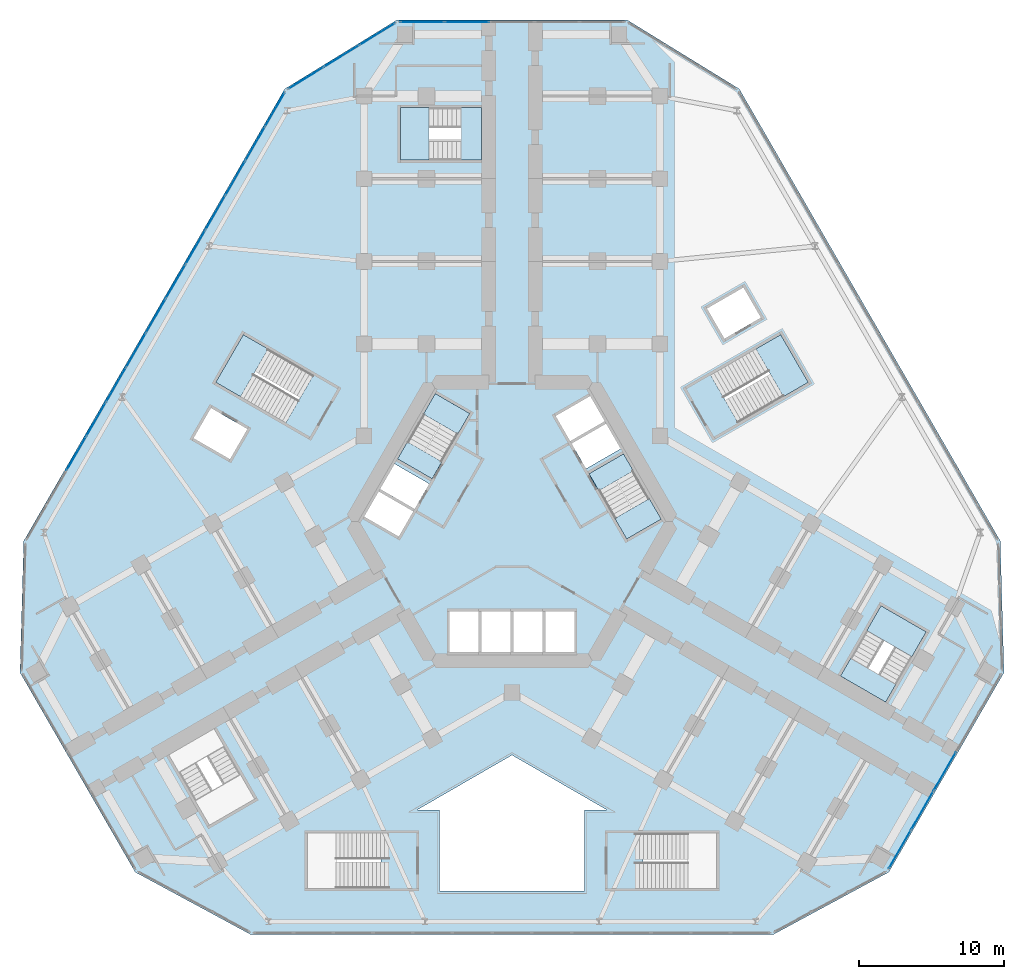
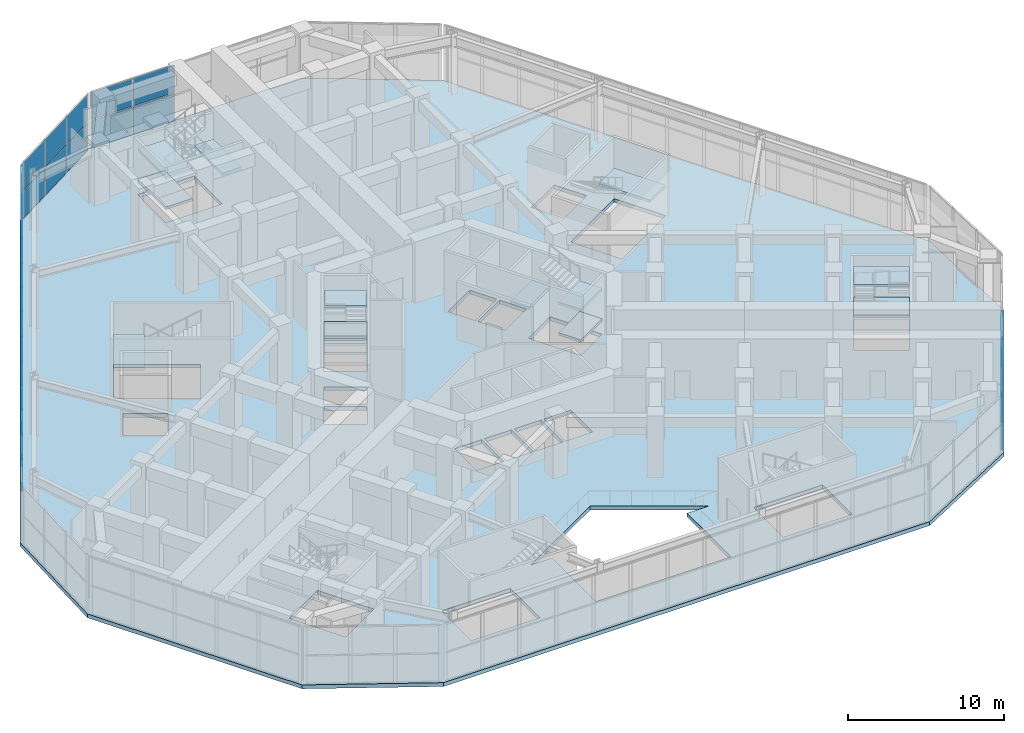
# One storey, part 13 of 21: 38 plates, 15 slabs, 10 elements without a shape of their own.
"""IFC4 building model written with IfcOpenShell, lengths in metres."""

from ifc_helpers import new_model, si_unit, direction, frame, origin, origin_2d, place, context, subcontext, project, spatial, polyline, rectangle, outline, extrude, material, layer, layer_set, type_object, element, aggregate, save


model = new_model("IFC4")

# Units and contexts
model_context = context("Model", 3, precision=1e-05, world=origin(), true_north=direction((0.0, 1.0)))
body_context = subcontext(model_context, "Body", "Model", "MODEL_VIEW")
ifc_project = project(units=[si_unit("LENGTHUNIT", "METRE"), si_unit("AREAUNIT", "SQUARE_METRE"), si_unit("VOLUMEUNIT", "CUBIC_METRE"), si_unit("PLANEANGLEUNIT", "RADIAN"), si_unit("MASSUNIT", "GRAM", prefix="KILO")], contexts=[model_context])

# Site, building, storey
site_placement = place(None, origin())
site = spatial("IfcSite", under=ifc_project, at=site_placement, CompositionType="ELEMENT")
building_placement = place(site_placement, origin())
building = spatial("IfcBuilding", under=site, at=building_placement, Name="Kosmar Iwan School Tower", CompositionType="ELEMENT")
storey_placement = place(building_placement, frame((0.0, 0.0, 6.0)))
storey = spatial("IfcBuildingStorey", under=building, at=storey_placement, Name="L01", CompositionType="ELEMENT", Elevation=6.0)

# Curtain wall, plates
ifc_material_1 = material(Name="Dark glass in black aluminium frame", Category="aluminium")
curtain_wall_type_1 = type_object("IfcCurtainWallType", Name="Tower curtain wall dark glass", PredefinedType="USERDEFINED", material=ifc_material_1)
curtain_wall_1_placement = place(storey_placement, origin())
curtain_wall_1 = element("IfcCurtainWall", 1, at=curtain_wall_1_placement, inside=storey, type_object=curtain_wall_type_1, Name="Curtain wall L01-F02", ObjectType="UNITISED CURTAIN WALL", PredefinedType="USERDEFINED")
ifc_material_2 = material(Name="Dark glass", Category="glass")
ifc_layer_1 = layer(ifc_material_2, 0.028076171875)
ifc_layer_set_1 = layer_set([ifc_layer_1], Name="Dark glass panel 28")
plate_type = type_object("IfcPlateType", Name="Dark glass panel 28", PredefinedType="CURTAIN_PANEL", material=ifc_layer_set_1)
plate_1_placement = place(storey_placement, frame((26.758544921875, -22.602783203125, 0.06005859375), z_axis=(0.0, 0.0, 1.0), x_axis=(0.500000014057, 0.866025395669, 0.0)))
plate_1 = element("IfcPlate", 2, at=plate_1_placement, type_object=plate_type, Name="CW1 panel 1.1", PredefinedType="CURTAIN_PANEL", context=body_context, shape_type="SweptSolid", body=[
    extrude(rectangle(XDim=3.00830078125, YDim=0.028076171875, at=origin_2d()), origin(), (0.0, 0.0, 1.0), 2.159912109375),
])
plate_2_placement = place(storey_placement, frame((26.758544921875, -22.602783203125, 2.2802734375), z_axis=(0.0, 0.0, 1.0), x_axis=(0.500000014057, 0.866025395669, 0.0)))
plate_2 = element("IfcPlate", 3, at=plate_2_placement, type_object=plate_type, Name="CW1 panel 1.2", PredefinedType="CURTAIN_PANEL", context=body_context, shape_type="SweptSolid", body=[
    extrude(rectangle(XDim=3.00830078125, YDim=0.028076171875, at=origin_2d()), origin(), (0.0, 0.0, 1.0), 2.159912109375),
])
plate_3_placement = place(storey_placement, frame((28.30322265625, -19.92724609375, 0.06005859375), z_axis=(0.0, 0.0, 1.0), x_axis=(0.500000014057, 0.866025395669, 0.0)))
plate_3 = element("IfcPlate", 4, at=plate_3_placement, type_object=plate_type, Name="CW1 panel 2.1", PredefinedType="CURTAIN_PANEL", context=body_context, shape_type="SweptSolid", body=[
    extrude(rectangle(XDim=3.040771484375, YDim=0.028076171875, at=origin_2d()), origin(), (0.0, 0.0, 1.0), 2.159912109375),
])
plate_4_placement = place(storey_placement, frame((28.30322265625, -19.92724609375, 2.2802734375), z_axis=(0.0, 0.0, 1.0), x_axis=(0.500000014057, 0.866025395669, 0.0)))
plate_4 = element("IfcPlate", 5, at=plate_4_placement, type_object=plate_type, Name="CW1 panel 2.2", PredefinedType="CURTAIN_PANEL", context=body_context, shape_type="SweptSolid", body=[
    extrude(rectangle(XDim=3.040771484375, YDim=0.028076171875, at=origin_2d()), origin(), (0.0, 0.0, 1.0), 2.159912109375),
])
plate_5_placement = place(storey_placement, frame((29.856201171875, -17.237548828125, 0.06005859375), z_axis=(0.0, 0.0, 1.0), x_axis=(0.500000014057, 0.866025395669, 0.0)))
plate_5 = element("IfcPlate", 6, at=plate_5_placement, type_object=plate_type, Name="CW1 panel 3.1", PredefinedType="CURTAIN_PANEL", context=body_context, shape_type="SweptSolid", body=[
    extrude(rectangle(XDim=3.040771484375, YDim=0.028076171875, at=origin_2d()), origin(), (0.0, 0.0, 1.0), 2.159912109375),
])
plate_6_placement = place(storey_placement, frame((29.856201171875, -17.237548828125, 2.2802734375), z_axis=(0.0, 0.0, 1.0), x_axis=(0.500000014057, 0.866025395669, 0.0)))
plate_6 = element("IfcPlate", 7, at=plate_6_placement, type_object=plate_type, Name="CW1 panel 3.2", PredefinedType="CURTAIN_PANEL", context=body_context, shape_type="SweptSolid", body=[
    extrude(rectangle(XDim=3.040771484375, YDim=0.028076171875, at=origin_2d()), origin(), (0.0, 0.0, 1.0), 2.159912109375),
])
aggregate(curtain_wall_1, [plate_1, plate_2, plate_3, plate_4, plate_5, plate_6])

curtain_wall_2_placement = place(storey_placement, origin())
curtain_wall_2 = element("IfcCurtainWall", 8, at=curtain_wall_2_placement, inside=storey, type_object=curtain_wall_type_1, Name="Curtain wall L01-F06", ObjectType="UNITISED CURTAIN WALL", PredefinedType="USERDEFINED")
plate_7_placement = place(storey_placement, frame((-3.10595703125, 34.47509765625, 0.06005859375), z_axis=(0.0, 0.0, 1.0), x_axis=(-1.0, 0.0, 0.0)))
plate_7 = element("IfcPlate", 9, at=plate_7_placement, type_object=plate_type, Name="CW1 panel 4.1", PredefinedType="CURTAIN_PANEL", context=body_context, shape_type="SweptSolid", body=[
    extrude(rectangle(XDim=3.040771484375, YDim=0.028076171875, at=origin_2d()), origin(), (0.0, 0.0, 1.0), 2.159912109375),
])
plate_8_placement = place(storey_placement, frame((-3.10595703125, 34.47509765625, 2.2802734375), z_axis=(0.0, 0.0, 1.0), x_axis=(-1.0, 0.0, 0.0)))
plate_8 = element("IfcPlate", 10, at=plate_8_placement, type_object=plate_type, Name="CW1 panel 4.2", PredefinedType="CURTAIN_PANEL", context=body_context, shape_type="SweptSolid", body=[
    extrude(rectangle(XDim=3.040771484375, YDim=0.028076171875, at=origin_2d()), origin(), (0.0, 0.0, 1.0), 2.159912109375),
])
plate_9_placement = place(storey_placement, frame((-6.1953125, 34.47509765625, 0.06005859375), z_axis=(0.0, 0.0, 1.0), x_axis=(-1.0, 0.0, 0.0)))
plate_9 = element("IfcPlate", 11, at=plate_9_placement, type_object=plate_type, Name="CW1 panel 5.1", PredefinedType="CURTAIN_PANEL", context=body_context, shape_type="SweptSolid", body=[
    extrude(rectangle(XDim=3.00830078125, YDim=0.028076171875, at=origin_2d()), origin(), (0.0, 0.0, 1.0), 2.159912109375),
])
plate_10_placement = place(storey_placement, frame((-6.1953125, 34.47509765625, 2.2802734375), z_axis=(0.0, 0.0, 1.0), x_axis=(-1.0, 0.0, 0.0)))
plate_10 = element("IfcPlate", 12, at=plate_10_placement, type_object=plate_type, Name="CW1 panel 5.2", PredefinedType="CURTAIN_PANEL", context=body_context, shape_type="SweptSolid", body=[
    extrude(rectangle(XDim=3.00830078125, YDim=0.028076171875, at=origin_2d()), origin(), (0.0, 0.0, 1.0), 2.159912109375),
])
aggregate(curtain_wall_2, [plate_7, plate_8, plate_9, plate_10])

ifc_material_3 = material(Name="Dark glass in black aluminium frame", Category="aluminium")
curtain_wall_type_2 = type_object("IfcCurtainWallType", Name="Podium curtain wall", PredefinedType="USERDEFINED", material=ifc_material_3)
curtain_wall_3_placement = place(storey_placement, origin())
curtain_wall_3 = element("IfcCurtainWall", 13, at=curtain_wall_3_placement, inside=storey, type_object=curtain_wall_type_2, Name="Curtain wall L01-F07", ObjectType="STICK CURTAIN WALL", PredefinedType="USERDEFINED")
plate_11_placement = place(storey_placement, frame((-9.292724609375, 33.626220703125, 0.06005859375), z_axis=(0.0, 0.0, 1.0), x_axis=(-0.851483299186, -0.524381722801, 0.0)))
plate_11 = element("IfcPlate", 14, at=plate_11_placement, type_object=plate_type, Name="CW3 panel 1.1", PredefinedType="CURTAIN_PANEL", context=body_context, shape_type="SweptSolid", body=[
    extrude(rectangle(XDim=2.806884765625, YDim=0.028076171875, at=origin_2d()), origin(), (0.0, 0.0, 1.0), 2.159912109375),
])
plate_12_placement = place(storey_placement, frame((-9.292724609375, 33.626220703125, 2.2802734375), z_axis=(0.0, 0.0, 1.0), x_axis=(-0.851483299186, -0.524381722801, 0.0)))
plate_12 = element("IfcPlate", 15, at=plate_12_placement, type_object=plate_type, Name="CW3 panel 1.2", PredefinedType="CURTAIN_PANEL", context=body_context, shape_type="SweptSolid", body=[
    extrude(rectangle(XDim=2.806884765625, YDim=0.028076171875, at=origin_2d()), origin(), (0.0, 0.0, 1.0), 2.159912109375),
])
plate_13_placement = place(storey_placement, frame((-11.751953125, 32.11181640625, 0.06005859375), z_axis=(0.0, 0.0, 1.0), x_axis=(-0.851483299186, -0.524381722801, 0.0)))
plate_13 = element("IfcPlate", 16, at=plate_13_placement, type_object=plate_type, Name="CW3 panel 2.1", PredefinedType="CURTAIN_PANEL", context=body_context, shape_type="SweptSolid", body=[
    extrude(rectangle(XDim=2.83935546875, YDim=0.028076171875, at=origin_2d()), origin(), (0.0, 0.0, 1.0), 2.159912109375),
])
plate_14_placement = place(storey_placement, frame((-11.751953125, 32.11181640625, 2.2802734375), z_axis=(0.0, 0.0, 1.0), x_axis=(-0.851483299186, -0.524381722801, 0.0)))
plate_14 = element("IfcPlate", 17, at=plate_14_placement, type_object=plate_type, Name="CW3 panel 2.2", PredefinedType="CURTAIN_PANEL", context=body_context, shape_type="SweptSolid", body=[
    extrude(rectangle(XDim=2.83935546875, YDim=0.028076171875, at=origin_2d()), origin(), (0.0, 0.0, 1.0), 2.159912109375),
])
plate_15_placement = place(storey_placement, frame((-14.211181640625, 30.59716796875, 0.06005859375), z_axis=(0.0, 0.0, 1.0), x_axis=(-0.851483299186, -0.524381722801, 0.0)))
plate_15 = element("IfcPlate", 18, at=plate_15_placement, type_object=plate_type, Name="CW3 panel 3.1", PredefinedType="CURTAIN_PANEL", context=body_context, shape_type="SweptSolid", body=[
    extrude(rectangle(XDim=2.806884765625, YDim=0.028076171875, at=origin_2d()), origin(), (0.0, 0.0, 1.0), 2.159912109375),
])
plate_16_placement = place(storey_placement, frame((-14.211181640625, 30.59716796875, 2.2802734375), z_axis=(0.0, 0.0, 1.0), x_axis=(-0.851483299186, -0.524381722801, 0.0)))
plate_16 = element("IfcPlate", 19, at=plate_16_placement, type_object=plate_type, Name="CW3 panel 3.2", PredefinedType="CURTAIN_PANEL", context=body_context, shape_type="SweptSolid", body=[
    extrude(rectangle(XDim=2.806884765625, YDim=0.028076171875, at=origin_2d()), origin(), (0.0, 0.0, 1.0), 2.159912109375),
])
aggregate(curtain_wall_3, [plate_11, plate_12, plate_13, plate_14, plate_15, plate_16])

curtain_wall_4_placement = place(storey_placement, origin())
curtain_wall_4 = element("IfcCurtainWall", 20, at=curtain_wall_4_placement, inside=storey, type_object=curtain_wall_type_2, Name="Curtain wall L01-F08", ObjectType="STICK CURTAIN WALL", PredefinedType="USERDEFINED")
plate_17_placement = place(storey_placement, frame((-16.357666015625, 28.41748046875, 0.06005859375), z_axis=(0.0, 0.0, 1.0), x_axis=(-0.50000002237, -0.866025390869, 0.0)))
plate_17 = element("IfcPlate", 21, at=plate_17_placement, type_object=plate_type, Name="CW3 panel 1.1", PredefinedType="CURTAIN_PANEL", context=body_context, shape_type="SweptSolid", body=[
    extrude(rectangle(XDim=2.643798828125, YDim=0.028076171875, at=origin_2d()), origin(), (0.0, 0.0, 1.0), 2.159912109375),
])
plate_18_placement = place(storey_placement, frame((-16.357666015625, 28.41748046875, 2.2802734375), z_axis=(0.0, 0.0, 1.0), x_axis=(-0.50000002237, -0.866025390869, 0.0)))
plate_18 = element("IfcPlate", 22, at=plate_18_placement, type_object=plate_type, Name="CW3 panel 1.2", PredefinedType="CURTAIN_PANEL", context=body_context, shape_type="SweptSolid", body=[
    extrude(rectangle(XDim=2.643798828125, YDim=0.028076171875, at=origin_2d()), origin(), (0.0, 0.0, 1.0), 2.159912109375),
])
plate_19_placement = place(storey_placement, frame((-17.72021484375, 26.0576171875, 0.06005859375), z_axis=(0.0, 0.0, 1.0), x_axis=(-0.50000002237, -0.866025390869, 0.0)))
plate_19 = element("IfcPlate", 23, at=plate_19_placement, type_object=plate_type, Name="CW3 panel 2.1", PredefinedType="CURTAIN_PANEL", context=body_context, shape_type="SweptSolid", body=[
    extrude(rectangle(XDim=2.67626953125, YDim=0.028076171875, at=origin_2d()), origin(), (0.0, 0.0, 1.0), 2.159912109375),
])
plate_20_placement = place(storey_placement, frame((-17.72021484375, 26.0576171875, 2.2802734375), z_axis=(0.0, 0.0, 1.0), x_axis=(-0.50000002237, -0.866025390869, 0.0)))
plate_20 = element("IfcPlate", 24, at=plate_20_placement, type_object=plate_type, Name="CW3 panel 2.2", PredefinedType="CURTAIN_PANEL", context=body_context, shape_type="SweptSolid", body=[
    extrude(rectangle(XDim=2.67626953125, YDim=0.028076171875, at=origin_2d()), origin(), (0.0, 0.0, 1.0), 2.159912109375),
])
plate_21_placement = place(storey_placement, frame((-19.0908203125, 23.68359375, 0.06005859375), z_axis=(0.0, 0.0, 1.0), x_axis=(-0.50000002237, -0.866025390869, 0.0)))
plate_21 = element("IfcPlate", 25, at=plate_21_placement, type_object=plate_type, Name="CW3 panel 3.1", PredefinedType="CURTAIN_PANEL", context=body_context, shape_type="SweptSolid", body=[
    extrude(rectangle(XDim=2.67626953125, YDim=0.028076171875, at=origin_2d()), origin(), (0.0, 0.0, 1.0), 2.159912109375),
])
plate_22_placement = place(storey_placement, frame((-19.0908203125, 23.68359375, 2.2802734375), z_axis=(0.0, 0.0, 1.0), x_axis=(-0.50000002237, -0.866025390869, 0.0)))
plate_22 = element("IfcPlate", 26, at=plate_22_placement, type_object=plate_type, Name="CW3 panel 3.2", PredefinedType="CURTAIN_PANEL", context=body_context, shape_type="SweptSolid", body=[
    extrude(rectangle(XDim=2.67626953125, YDim=0.028076171875, at=origin_2d()), origin(), (0.0, 0.0, 1.0), 2.159912109375),
])
plate_23_placement = place(storey_placement, frame((-20.46142578125, 21.3095703125, 0.06005859375), z_axis=(0.0, 0.0, 1.0), x_axis=(-0.50000002237, -0.866025390869, 0.0)))
plate_23 = element("IfcPlate", 27, at=plate_23_placement, type_object=plate_type, Name="CW3 panel 4.1", PredefinedType="CURTAIN_PANEL", context=body_context, shape_type="SweptSolid", body=[
    extrude(rectangle(XDim=2.67626953125, YDim=0.028076171875, at=origin_2d()), origin(), (0.0, 0.0, 1.0), 2.159912109375),
])
plate_24_placement = place(storey_placement, frame((-20.46142578125, 21.3095703125, 2.2802734375), z_axis=(0.0, 0.0, 1.0), x_axis=(-0.50000002237, -0.866025390869, 0.0)))
plate_24 = element("IfcPlate", 28, at=plate_24_placement, type_object=plate_type, Name="CW3 panel 4.2", PredefinedType="CURTAIN_PANEL", context=body_context, shape_type="SweptSolid", body=[
    extrude(rectangle(XDim=2.67626953125, YDim=0.028076171875, at=origin_2d()), origin(), (0.0, 0.0, 1.0), 2.159912109375),
])
plate_25_placement = place(storey_placement, frame((-21.832275390625, 18.935546875, 0.06005859375), z_axis=(0.0, 0.0, 1.0), x_axis=(-0.50000002237, -0.866025390869, 0.0)))
plate_25 = element("IfcPlate", 29, at=plate_25_placement, type_object=plate_type, Name="CW3 panel 5.1", PredefinedType="CURTAIN_PANEL", context=body_context, shape_type="SweptSolid", body=[
    extrude(rectangle(XDim=2.67626953125, YDim=0.028076171875, at=origin_2d()), origin(), (0.0, 0.0, 1.0), 2.159912109375),
])
plate_26_placement = place(storey_placement, frame((-21.832275390625, 18.935546875, 2.2802734375), z_axis=(0.0, 0.0, 1.0), x_axis=(-0.50000002237, -0.866025390869, 0.0)))
plate_26 = element("IfcPlate", 30, at=plate_26_placement, type_object=plate_type, Name="CW3 panel 5.2", PredefinedType="CURTAIN_PANEL", context=body_context, shape_type="SweptSolid", body=[
    extrude(rectangle(XDim=2.67626953125, YDim=0.028076171875, at=origin_2d()), origin(), (0.0, 0.0, 1.0), 2.159912109375),
])
plate_27_placement = place(storey_placement, frame((-23.202880859375, 16.5615234375, 0.06005859375), z_axis=(0.0, 0.0, 1.0), x_axis=(-0.50000002237, -0.866025390869, 0.0)))
plate_27 = element("IfcPlate", 31, at=plate_27_placement, type_object=plate_type, Name="CW3 panel 6.1", PredefinedType="CURTAIN_PANEL", context=body_context, shape_type="SweptSolid", body=[
    extrude(rectangle(XDim=2.67626953125, YDim=0.028076171875, at=origin_2d()), origin(), (0.0, 0.0, 1.0), 2.159912109375),
])
plate_28_placement = place(storey_placement, frame((-23.202880859375, 16.5615234375, 2.2802734375), z_axis=(0.0, 0.0, 1.0), x_axis=(-0.50000002237, -0.866025390869, 0.0)))
plate_28 = element("IfcPlate", 32, at=plate_28_placement, type_object=plate_type, Name="CW3 panel 6.2", PredefinedType="CURTAIN_PANEL", context=body_context, shape_type="SweptSolid", body=[
    extrude(rectangle(XDim=2.67626953125, YDim=0.028076171875, at=origin_2d()), origin(), (0.0, 0.0, 1.0), 2.159912109375),
])
plate_29_placement = place(storey_placement, frame((-24.573486328125, 14.1875, 0.06005859375), z_axis=(0.0, 0.0, 1.0), x_axis=(-0.50000002237, -0.866025390869, 0.0)))
plate_29 = element("IfcPlate", 33, at=plate_29_placement, type_object=plate_type, Name="CW3 panel 7.1", PredefinedType="CURTAIN_PANEL", context=body_context, shape_type="SweptSolid", body=[
    extrude(rectangle(XDim=2.67626953125, YDim=0.028076171875, at=origin_2d()), origin(), (0.0, 0.0, 1.0), 2.159912109375),
])
plate_30_placement = place(storey_placement, frame((-24.573486328125, 14.1875, 2.2802734375), z_axis=(0.0, 0.0, 1.0), x_axis=(-0.50000002237, -0.866025390869, 0.0)))
plate_30 = element("IfcPlate", 34, at=plate_30_placement, type_object=plate_type, Name="CW3 panel 7.2", PredefinedType="CURTAIN_PANEL", context=body_context, shape_type="SweptSolid", body=[
    extrude(rectangle(XDim=2.67626953125, YDim=0.028076171875, at=origin_2d()), origin(), (0.0, 0.0, 1.0), 2.159912109375),
])
plate_31_placement = place(storey_placement, frame((-25.944091796875, 11.8134765625, 0.06005859375), z_axis=(0.0, 0.0, 1.0), x_axis=(-0.50000002237, -0.866025390869, 0.0)))
plate_31 = element("IfcPlate", 35, at=plate_31_placement, type_object=plate_type, Name="CW3 panel 8.1", PredefinedType="CURTAIN_PANEL", context=body_context, shape_type="SweptSolid", body=[
    extrude(rectangle(XDim=2.67626953125, YDim=0.028076171875, at=origin_2d()), origin(), (0.0, 0.0, 1.0), 2.159912109375),
])
plate_32_placement = place(storey_placement, frame((-25.944091796875, 11.8134765625, 2.2802734375), z_axis=(0.0, 0.0, 1.0), x_axis=(-0.50000002237, -0.866025390869, 0.0)))
plate_32 = element("IfcPlate", 36, at=plate_32_placement, type_object=plate_type, Name="CW3 panel 8.2", PredefinedType="CURTAIN_PANEL", context=body_context, shape_type="SweptSolid", body=[
    extrude(rectangle(XDim=2.67626953125, YDim=0.028076171875, at=origin_2d()), origin(), (0.0, 0.0, 1.0), 2.159912109375),
])
plate_33_placement = place(storey_placement, frame((-27.314697265625, 9.439453125, 0.06005859375), z_axis=(0.0, 0.0, 1.0), x_axis=(-0.50000002237, -0.866025390869, 0.0)))
plate_33 = element("IfcPlate", 37, at=plate_33_placement, type_object=plate_type, Name="CW3 panel 9.1", PredefinedType="CURTAIN_PANEL", context=body_context, shape_type="SweptSolid", body=[
    extrude(rectangle(XDim=2.67626953125, YDim=0.028076171875, at=origin_2d()), origin(), (0.0, 0.0, 1.0), 2.159912109375),
])
plate_34_placement = place(storey_placement, frame((-27.314697265625, 9.439453125, 2.2802734375), z_axis=(0.0, 0.0, 1.0), x_axis=(-0.50000002237, -0.866025390869, 0.0)))
plate_34 = element("IfcPlate", 38, at=plate_34_placement, type_object=plate_type, Name="CW3 panel 9.2", PredefinedType="CURTAIN_PANEL", context=body_context, shape_type="SweptSolid", body=[
    extrude(rectangle(XDim=2.67626953125, YDim=0.028076171875, at=origin_2d()), origin(), (0.0, 0.0, 1.0), 2.159912109375),
])
plate_35_placement = place(storey_placement, frame((-28.685302734375, 7.0654296875, 0.06005859375), z_axis=(0.0, 0.0, 1.0), x_axis=(-0.50000002237, -0.866025390869, 0.0)))
plate_35 = element("IfcPlate", 39, at=plate_35_placement, type_object=plate_type, Name="CW3 panel 10.1", PredefinedType="CURTAIN_PANEL", context=body_context, shape_type="SweptSolid", body=[
    extrude(rectangle(XDim=2.67626953125, YDim=0.028076171875, at=origin_2d()), origin(), (0.0, 0.0, 1.0), 2.159912109375),
])
plate_36_placement = place(storey_placement, frame((-28.685302734375, 7.0654296875, 2.2802734375), z_axis=(0.0, 0.0, 1.0), x_axis=(-0.50000002237, -0.866025390869, 0.0)))
plate_36 = element("IfcPlate", 40, at=plate_36_placement, type_object=plate_type, Name="CW3 panel 10.2", PredefinedType="CURTAIN_PANEL", context=body_context, shape_type="SweptSolid", body=[
    extrude(rectangle(XDim=2.67626953125, YDim=0.028076171875, at=origin_2d()), origin(), (0.0, 0.0, 1.0), 2.159912109375),
])
plate_37_placement = place(storey_placement, frame((-30.05615234375, 4.69140625, 0.06005859375), z_axis=(0.0, 0.0, 1.0), x_axis=(-0.50000002237, -0.866025390869, 0.0)))
plate_37 = element("IfcPlate", 41, at=plate_37_placement, type_object=plate_type, Name="CW3 panel 11.1", PredefinedType="CURTAIN_PANEL", context=body_context, shape_type="SweptSolid", body=[
    extrude(rectangle(XDim=2.67626953125, YDim=0.028076171875, at=origin_2d()), origin(), (0.0, 0.0, 1.0), 2.159912109375),
])
plate_38_placement = place(storey_placement, frame((-30.05615234375, 4.69140625, 2.2802734375), z_axis=(0.0, 0.0, 1.0), x_axis=(-0.50000002237, -0.866025390869, 0.0)))
plate_38 = element("IfcPlate", 42, at=plate_38_placement, type_object=plate_type, Name="CW3 panel 11.2", PredefinedType="CURTAIN_PANEL", context=body_context, shape_type="SweptSolid", body=[
    extrude(rectangle(XDim=2.67626953125, YDim=0.028076171875, at=origin_2d()), origin(), (0.0, 0.0, 1.0), 2.159912109375),
])
aggregate(curtain_wall_4, [plate_17, plate_18, plate_19, plate_20, plate_21, plate_22, plate_23, plate_24, plate_25, plate_26, plate_27, plate_28, plate_29, plate_30, plate_31, plate_32, plate_33, plate_34, plate_35, plate_36, plate_37, plate_38])

# Stair, slabs
ifc_material_4 = material(Name="Concrete C35/45", Category="concrete")
stair_type_1 = type_object("IfcStairType", Name="Escape stair 3600", PredefinedType="HALF_TURN_STAIR", material=ifc_material_4)
stair_1_placement = place(storey_placement, origin())
stair_1 = element("IfcStair", 43, at=stair_1_placement, inside=storey, type_object=stair_type_1, Name="Stair WS1 L01", PredefinedType="HALF_TURN_STAIR")
ifc_material_5 = material(Name="Concrete C35/45", Category="concrete")
ifc_layer_2 = layer(ifc_material_5, 0.199951171875)
ifc_layer_set_2 = layer_set([ifc_layer_2], Name="Escape stair landing 200")
slab_type_1 = type_object("IfcSlabType", Name="Escape stair landing 200", PredefinedType="LANDING", material=ifc_layer_set_2)
slab_1_placement = place(storey_placement, frame((0.0, 0.0, 1.0)))
slab_1 = element("IfcSlab", 44, at=slab_1_placement, type_object=slab_type_1, Name="WS1 landing 1", PredefinedType="LANDING", context=body_context, shape_type="SweptSolid", body=[
    extrude(outline(polyline([(-5.719970703125, 24.949951171875), (-5.719970703125, 28.550048828125), (-7.699951171875, 28.550048828125), (-7.699951171875, 24.949951171875), (-5.719970703125, 24.949951171875)])), origin(), (0.0, 0.0, 1.0), 0.199951171875),
])
slab_2_placement = place(storey_placement, frame((0.0, 0.0, 2.199951171875)))
slab_2 = element("IfcSlab", 45, at=slab_2_placement, type_object=slab_type_1, Name="WS1 landing 2", PredefinedType="LANDING", context=body_context, shape_type="SweptSolid", body=[
    extrude(outline(polyline([(-2.10009765625, 24.949951171875), (-2.10009765625, 28.550048828125), (-3.52001953125, 28.550048828125), (-3.52001953125, 24.949951171875), (-2.10009765625, 24.949951171875)])), origin(), (0.0, 0.0, 1.0), 0.199951171875),
])
slab_3_placement = place(storey_placement, frame((0.0, 0.0, 3.39990234375)))
slab_3 = element("IfcSlab", 46, at=slab_3_placement, type_object=slab_type_1, Name="WS1 landing 3", PredefinedType="LANDING", context=body_context, shape_type="SweptSolid", body=[
    extrude(outline(polyline([(-5.719970703125, 24.949951171875), (-5.719970703125, 28.550048828125), (-7.699951171875, 28.550048828125), (-7.699951171875, 24.949951171875), (-5.719970703125, 24.949951171875)])), origin(), (0.0, 0.0, 1.0), 0.2001953125),
])
aggregate(stair_1, [slab_1, slab_2, slab_3])

stair_2_placement = place(storey_placement, origin())
stair_2 = element("IfcStair", 47, at=stair_2_placement, inside=storey, type_object=stair_type_1, Name="Stair WS3 L01", PredefinedType="HALF_TURN_STAIR")
slab_4_placement = place(storey_placement, frame((0.0, 0.0, 1.0)))
slab_4 = element("IfcSlab", 48, at=slab_4_placement, type_object=slab_type_1, Name="WS3 landing 1", PredefinedType="LANDING", context=body_context, shape_type="SweptSolid", body=[
    extrude(outline(polyline([(24.46728515625, -7.521240234375), (27.5849609375, -9.3212890625), (28.574951171875, -7.606689453125), (25.457275390625, -5.806640625), (24.46728515625, -7.521240234375)])), origin(), (0.0, 0.0, 1.0), 0.199951171875),
])
slab_5_placement = place(storey_placement, frame((0.0, 0.0, 2.199951171875)))
slab_5 = element("IfcSlab", 49, at=slab_5_placement, type_object=slab_type_1, Name="WS3 landing 2", PredefinedType="LANDING", context=body_context, shape_type="SweptSolid", body=[
    extrude(outline(polyline([(22.6572265625, -10.65625), (25.775146484375, -12.456298828125), (26.485107421875, -11.2265625), (23.367431640625, -9.426513671875), (22.6572265625, -10.65625)])), origin(), (0.0, 0.0, 1.0), 0.199951171875),
])
slab_6_placement = place(storey_placement, frame((0.0, 0.0, 3.39990234375)))
slab_6 = element("IfcSlab", 50, at=slab_6_placement, type_object=slab_type_1, Name="WS3 landing 3", PredefinedType="LANDING", context=body_context, shape_type="SweptSolid", body=[
    extrude(outline(polyline([(24.46728515625, -7.521240234375), (27.5849609375, -9.3212890625), (28.574951171875, -7.606689453125), (25.457275390625, -5.806640625), (24.46728515625, -7.521240234375)])), origin(), (0.0, 0.0, 1.0), 0.2001953125),
])
aggregate(stair_2, [slab_4, slab_5, slab_6])

# Slab
ifc_material_6 = material(Name="Concrete C35/45", Category="concrete")
ifc_layer_3 = layer(ifc_material_6, 0.300048828125)
ifc_layer_set_3 = layer_set([ifc_layer_3], Name="School floor slab 300")
slab_type_2 = type_object("IfcSlabType", Name="School floor slab 300", PredefinedType="FLOOR", material=ifc_layer_set_3)
slab_7_placement = place(storey_placement, frame((0.0, 0.0, -0.300048828125)))
element("IfcSlab", 51, at=slab_7_placement, inside=storey, type_object=slab_type_2, Name="L01 floor slab", PredefinedType="FLOOR", context=body_context, shape_type="SweptSolid", body=[
    extrude(outline(polyline([(-18.0, -28.5), (18.0, -28.5), (25.989501953125, -24.184814453125), (33.939453125, -10.4150390625), (33.681640625, -1.33837890625), (15.681640625, 29.83837890625), (7.949951171875, 34.60009765625), (-7.949951171875, 34.60009765625), (-15.681640625, 29.83837890625), (-33.681640625, -1.33837890625), (-33.939453125, -10.4150390625), (-25.989501953125, -24.184814453125), (-18.0, -28.5)]), holes=[polyline([(7.91259765625, -1.205078125), (10.294189453125, 0.169921875), (8.3642578125, 3.5126953125), (5.982666015625, 2.1376953125), (7.91259765625, -1.205078125)]), polyline([(-2.91259765625, 7.455078125), (-5.294189453125, 8.830078125), (-7.22412109375, 5.4873046875), (-4.8427734375, 4.1123046875), (-2.91259765625, 7.455078125)]), polyline([(-5.712646484375, 2.60546875), (-8.09423828125, 3.98046875), (-9.09423828125, 2.248291015625), (-6.712646484375, 0.873291015625), (-5.712646484375, 2.60546875)]), polyline([(-6.812744140625, 0.7001953125), (-9.1943359375, 2.0751953125), (-10.1943359375, 0.343017578125), (-7.812744140625, -1.031982421875), (-6.812744140625, 0.7001953125)]), polyline([(5.112548828125, 3.64453125), (7.494140625, 5.01953125), (6.494140625, 6.751708984375), (4.112548828125, 5.376708984375), (5.112548828125, 3.64453125)]), polyline([(4.0126953125, 5.5498046875), (6.394287109375, 6.9248046875), (5.394287109375, 8.656982421875), (3.0126953125, 7.281982421875), (4.0126953125, 5.5498046875)]), polyline([(-4.300048828125, -6.199951171875), (-4.300048828125, -9.0), (-2.300048828125, -9.0), (-2.300048828125, -6.199951171875), (-4.300048828125, -6.199951171875)]), polyline([(-2.10009765625, -6.199951171875), (-2.10009765625, -9.0), (-0.10009765625, -9.0), (-0.10009765625, -6.199951171875), (-2.10009765625, -6.199951171875)]), polyline([(0.10009765625, -6.199951171875), (0.10009765625, -9.0), (2.10009765625, -9.0), (2.10009765625, -6.199951171875), (0.10009765625, -6.199951171875)]), polyline([(2.300048828125, -6.199951171875), (2.300048828125, -9.0), (4.300048828125, -9.0), (4.300048828125, -6.199951171875), (2.300048828125, -6.199951171875)]), polyline([(-3.52001953125, 24.949951171875), (-3.52001953125, 28.550048828125), (-7.699951171875, 28.550048828125), (-7.699951171875, 24.949951171875), (-3.52001953125, 24.949951171875)]), polyline([(-19.847412109375, -15.5234375), (-22.965087890625, -17.323486328125), (-20.875, -20.943359375), (-17.75732421875, -19.143310546875), (-19.847412109375, -15.5234375)]), polyline([(23.367431640625, -9.426513671875), (26.485107421875, -11.2265625), (28.574951171875, -7.606689453125), (25.457275390625, -5.806640625), (23.367431640625, -9.426513671875)]), polyline([(6.56787109375, -19.89990234375), (5.0, -19.89990234375), (5.0, -25.5), (-5.0, -25.5), (-5.0, -19.89990234375), (-6.56787109375, -19.89990234375), (0.0, -16.108154296875), (6.56787109375, -19.89990234375)]), polyline([(-14.10009765625, -21.5), (-14.10009765625, -25.300048828125), (-9.02001953125, -25.300048828125), (-9.02001953125, -21.5), (-14.10009765625, -21.5)]), polyline([(9.02001953125, -21.5), (9.02001953125, -25.300048828125), (14.10009765625, -25.300048828125), (14.10009765625, -21.5), (9.02001953125, -21.5)]), polyline([(15.603271484375, 6.814453125), (20.435546875, 9.6044921875), (18.53564453125, 12.8955078125), (13.703125, 10.10546875), (15.603271484375, 6.814453125)]), polyline([(-13.703125, 10.10546875), (-18.53564453125, 12.8955078125), (-20.435546875, 9.6044921875), (-15.603271484375, 6.814453125), (-13.703125, 10.10546875)]), polyline([(14.654541015625, 12.61767578125), (17.166015625, 14.067626953125), (15.966064453125, 16.146240234375), (13.45458984375, 14.696044921875), (14.654541015625, 12.61767578125)]), polyline([(-18.25439453125, 6.38232421875), (-20.765869140625, 7.832275390625), (-21.966064453125, 5.75390625), (-19.45458984375, 4.303955078125), (-18.25439453125, 6.38232421875)])]), origin(), (0.0, 0.0, 1.0), 0.300048828125),
])

# Stair, slabs
ifc_material_7 = material(Name="Concrete C35/45", Category="concrete")
stair_type_2 = type_object("IfcStairType", Name="Core stair 2750", PredefinedType="HALF_TURN_STAIR", material=ifc_material_7)
stair_3_placement = place(storey_placement, origin())
stair_3 = element("IfcStair", 52, at=stair_3_placement, inside=storey, type_object=stair_type_2, Name="Stair ST2 L01", PredefinedType="HALF_TURN_STAIR")
ifc_material_8 = material(Name="Concrete C35/45", Category="concrete")
ifc_layer_4 = layer(ifc_material_8, 0.199951171875)
ifc_layer_set_4 = layer_set([ifc_layer_4], Name="Stair landing 200")
slab_type_3 = type_object("IfcSlabType", Name="Stair landing 200", PredefinedType="LANDING", material=ifc_layer_set_4)
slab_8_placement = place(storey_placement, frame((0.0, 0.0, 1.0)))
slab_8 = element("IfcSlab", 53, at=slab_8_placement, type_object=slab_type_3, Name="ST2 landing 1", PredefinedType="LANDING", context=body_context, shape_type="SweptSolid", body=[
    extrude(outline(polyline([(-2.91259765625, 7.455078125), (-5.294189453125, 8.830078125), (-6.1142578125, 7.409912109375), (-3.732666015625, 6.034912109375), (-2.91259765625, 7.455078125)])), origin(), (0.0, 0.0, 1.0), 0.199951171875),
])
slab_9_placement = place(storey_placement, frame((0.0, 0.0, 2.199951171875)))
slab_9 = element("IfcSlab", 54, at=slab_9_placement, type_object=slab_type_3, Name="ST2 landing 2", PredefinedType="LANDING", context=body_context, shape_type="SweptSolid", body=[
    extrude(outline(polyline([(-4.832763671875, 4.129638671875), (-7.214111328125, 5.504638671875), (-7.894287109375, 4.326904296875), (-5.5126953125, 2.951904296875), (-4.832763671875, 4.129638671875)])), origin(), (0.0, 0.0, 1.0), 0.199951171875),
])
slab_10_placement = place(storey_placement, frame((0.0, 0.0, 3.39990234375)))
slab_10 = element("IfcSlab", 55, at=slab_10_placement, type_object=slab_type_3, Name="ST2 landing 3", PredefinedType="LANDING", context=body_context, shape_type="SweptSolid", body=[
    extrude(outline(polyline([(-2.91259765625, 7.455078125), (-5.294189453125, 8.830078125), (-6.1142578125, 7.409912109375), (-3.732666015625, 6.034912109375), (-2.91259765625, 7.455078125)])), origin(), (0.0, 0.0, 1.0), 0.2001953125),
])
aggregate(stair_3, [slab_8, slab_9, slab_10])

stair_4_placement = place(storey_placement, origin())
stair_4 = element("IfcStair", 56, at=stair_4_placement, inside=storey, type_object=stair_type_2, Name="Stair ST1 L01", PredefinedType="HALF_TURN_STAIR")
slab_11_placement = place(storey_placement, frame((0.0, 0.0, 1.0)))
slab_11 = element("IfcSlab", 57, at=slab_11_placement, type_object=slab_type_3, Name="ST1 landing 1", PredefinedType="LANDING", context=body_context, shape_type="SweptSolid", body=[
    extrude(outline(polyline([(7.91259765625, -1.205078125), (10.294189453125, 0.169921875), (9.47412109375, 1.590087890625), (7.0927734375, 0.215087890625), (7.91259765625, -1.205078125)])), origin(), (0.0, 0.0, 1.0), 0.199951171875),
])
slab_12_placement = place(storey_placement, frame((0.0, 0.0, 2.199951171875)))
slab_12 = element("IfcSlab", 58, at=slab_12_placement, type_object=slab_type_3, Name="ST1 landing 2", PredefinedType="LANDING", context=body_context, shape_type="SweptSolid", body=[
    extrude(outline(polyline([(5.99267578125, 2.120361328125), (8.374267578125, 3.495361328125), (7.6943359375, 4.673095703125), (5.312744140625, 3.298095703125), (5.99267578125, 2.120361328125)])), origin(), (0.0, 0.0, 1.0), 0.199951171875),
])
slab_13_placement = place(storey_placement, frame((0.0, 0.0, 3.39990234375)))
slab_13 = element("IfcSlab", 59, at=slab_13_placement, type_object=slab_type_3, Name="ST1 landing 3", PredefinedType="LANDING", context=body_context, shape_type="SweptSolid", body=[
    extrude(outline(polyline([(7.91259765625, -1.205078125), (10.294189453125, 0.169921875), (9.47412109375, 1.590087890625), (7.0927734375, 0.215087890625), (7.91259765625, -1.205078125)])), origin(), (0.0, 0.0, 1.0), 0.2001953125),
])
aggregate(stair_4, [slab_11, slab_12, slab_13])

# Stair, slab
ifc_material_9 = material(Name="Concrete C35/45", Category="concrete")
stair_type_3 = type_object("IfcStairType", Name="School stair 3800", PredefinedType="HALF_TURN_STAIR", material=ifc_material_9)
stair_5_placement = place(storey_placement, origin())
stair_5 = element("IfcStair", 60, at=stair_5_placement, inside=storey, type_object=stair_type_3, Name="School stair SS3 L01", PredefinedType="HALF_TURN_STAIR")
slab_14_placement = place(storey_placement, frame((0.0, 0.0, 2.199951171875)))
slab_14 = element("IfcSlab", 61, at=slab_14_placement, type_object=slab_type_3, Name="SS3 landing 1", PredefinedType="LANDING", context=body_context, shape_type="SweptSolid", body=[
    extrude(outline(polyline([(18.720947265625, 8.614501953125), (20.435546875, 9.6044921875), (18.53564453125, 12.8955078125), (16.82080078125, 11.905517578125), (18.720947265625, 8.614501953125)])), origin(), (0.0, 0.0, 1.0), 0.199951171875),
])
aggregate(stair_5, [slab_14])

stair_6_placement = place(storey_placement, origin())
stair_6 = element("IfcStair", 62, at=stair_6_placement, inside=storey, type_object=stair_type_3, Name="School stair SS4 L01", PredefinedType="HALF_TURN_STAIR")
slab_15_placement = place(storey_placement, frame((0.0, 0.0, 2.199951171875)))
slab_15 = element("IfcSlab", 63, at=slab_15_placement, type_object=slab_type_3, Name="SS4 landing 1", PredefinedType="LANDING", context=body_context, shape_type="SweptSolid", body=[
    extrude(outline(polyline([(-16.82080078125, 11.905517578125), (-18.53564453125, 12.8955078125), (-20.435546875, 9.6044921875), (-18.720947265625, 8.614501953125), (-16.82080078125, 11.905517578125)])), origin(), (0.0, 0.0, 1.0), 0.199951171875),
])
aggregate(stair_6, [slab_15])

save(model, "model.ifc")
